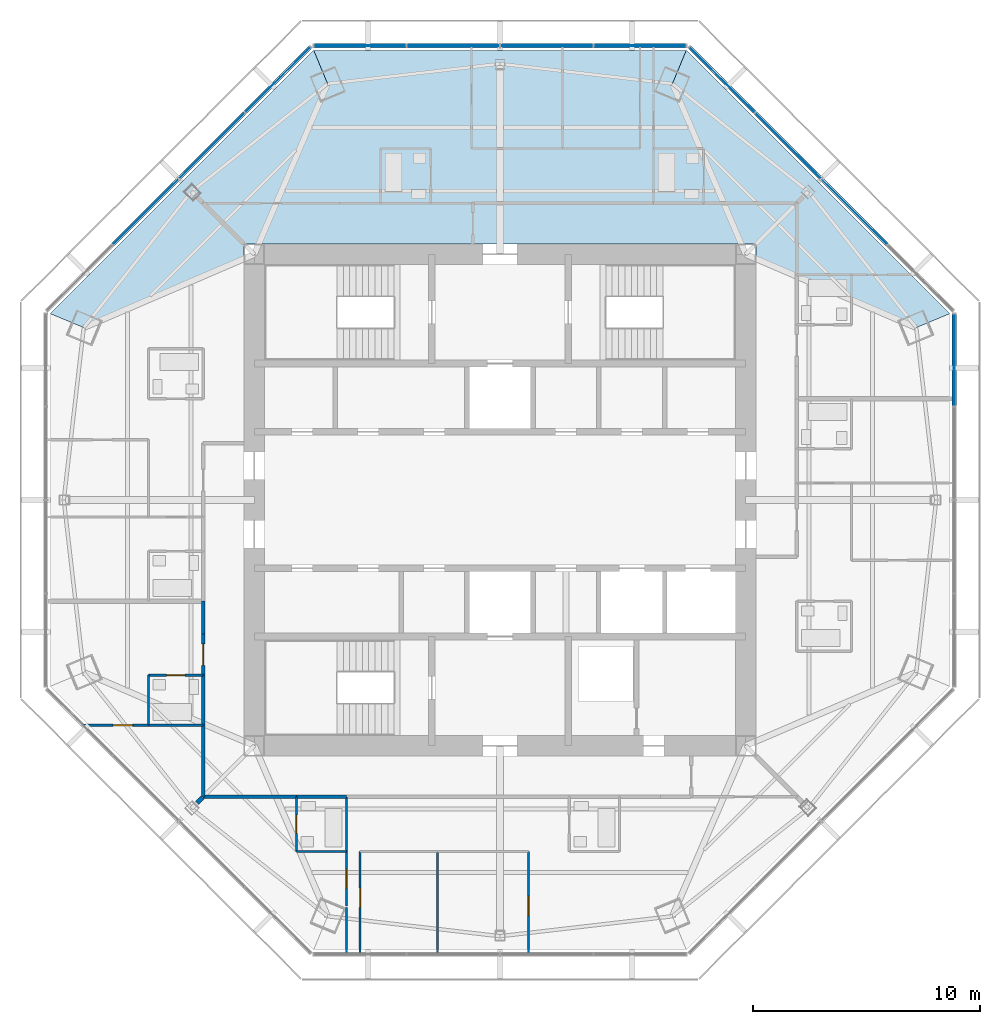
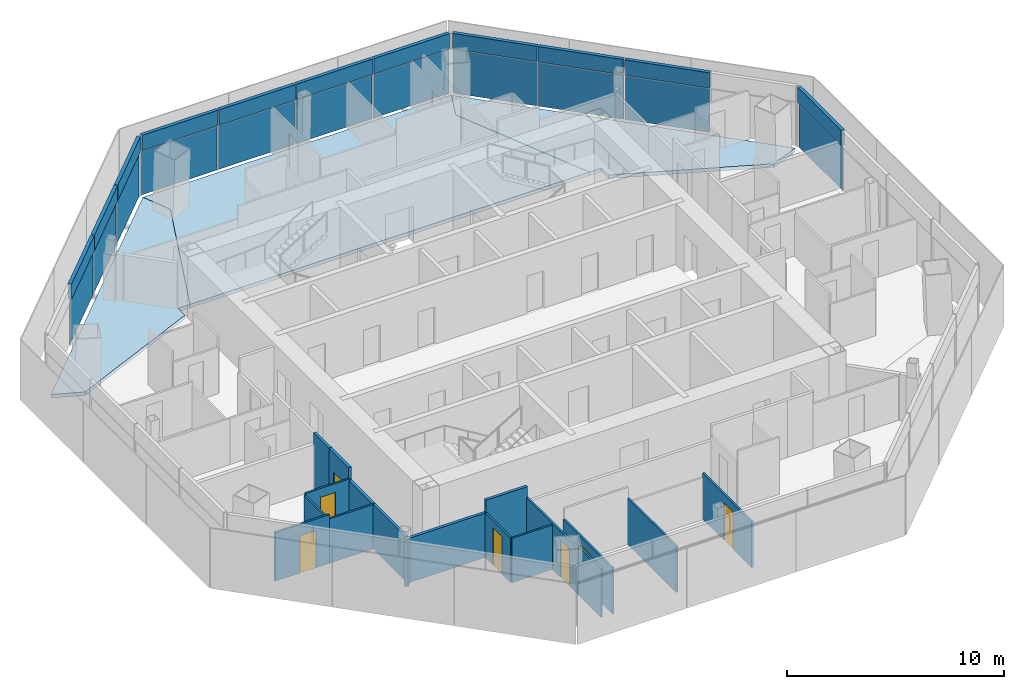
# One storey, part 8 of 14: 22 plates, 18 walls, 7 doors, 3 slabs, 7 openings, 4 elements without a shape of their own.
"""IFC4 building model written with IfcOpenShell, lengths in metres."""

from ifc_helpers import new_model, si_unit, direction, frame, frame_2d, origin, origin_2d, place, context, subcontext, project, spatial, polyline, rectangle, outline, extrude, source, transform, mapped, material, layer, layer_set, type_object, type_shapes, element, fill, aggregate, save


model = new_model("IFC4")

# Units and contexts
model_context = context("Model", 3, precision=1e-05, world=origin(), true_north=direction((0.0, 1.0)))
body_context = subcontext(model_context, "Body", "Model", "MODEL_VIEW")
ifc_project = project(units=[si_unit("LENGTHUNIT", "METRE"), si_unit("AREAUNIT", "SQUARE_METRE"), si_unit("VOLUMEUNIT", "CUBIC_METRE"), si_unit("PLANEANGLEUNIT", "RADIAN"), si_unit("MASSUNIT", "GRAM", prefix="KILO")], contexts=[model_context])

# Site, building, storey
site_placement = place(None, origin())
site = spatial("IfcSite", under=ifc_project, at=site_placement, CompositionType="ELEMENT")
building_placement = place(site_placement, origin())
building = spatial("IfcBuilding", under=site, at=building_placement, Name="Mashrafa Tower", CompositionType="ELEMENT")
storey_placement = place(building_placement, frame((0.0, 0.0, 284.39990234375)))
storey = spatial("IfcBuildingStorey", under=building, at=storey_placement, Name="L69", CompositionType="ELEMENT", Elevation=284.39990234375)

# Slabs
ifc_material_1 = material(Name="Concrete C35/45", Category="concrete")
ifc_layer_1 = layer(ifc_material_1, 0.199951171875)
ifc_layer_set_1 = layer_set([ifc_layer_1], Name="Floor slab 200")
slab_type = type_object("IfcSlabType", Name="Floor slab 200", PredefinedType="FLOOR", material=ifc_layer_set_1)
slab_1_placement = place(storey_placement, frame((0.0, 0.0, -0.199951171875)))
element("IfcSlab", 1, at=slab_1_placement, inside=storey, type_object=slab_type, Name="Floor slab L69 north-east bay", PredefinedType="FLOOR", context=body_context, shape_type="SweptSolid", body=[
    extrude(outline(polyline([(8.188720703125, 19.76953125), (19.76953125, 8.188720703125), (19.76953125, 8.188720703125), (18.296875, 7.578857421875), (11.25, 10.606689453125), (11.25, 11.25), (10.606689453125, 11.25), (7.578857421875, 18.296875), (8.188720703125, 19.76953125), (8.188720703125, 19.76953125)])), origin(), (0.0, 0.0, 1.0), 0.199951171875),
])
slab_2_placement = place(storey_placement, frame((0.0, 0.0, -0.199951171875)))
element("IfcSlab", 2, at=slab_2_placement, inside=storey, type_object=slab_type, Name="Floor slab L69 north bay", PredefinedType="FLOOR", context=body_context, shape_type="SweptSolid", body=[
    extrude(outline(polyline([(8.188720703125, 19.76953125), (7.578857421875, 18.296875), (10.606689453125, 11.25), (-10.606689453125, 11.25), (-7.578857421875, 18.296875), (-8.188720703125, 19.76953125), (8.188720703125, 19.76953125)])), origin(), (0.0, 0.0, 1.0), 0.199951171875),
])
slab_3_placement = place(storey_placement, frame((0.0, 0.0, -0.199951171875)))
element("IfcSlab", 3, at=slab_3_placement, inside=storey, type_object=slab_type, Name="Floor slab L69 north-west bay", PredefinedType="FLOOR", context=body_context, shape_type="SweptSolid", body=[
    extrude(outline(polyline([(-19.76953125, 8.188720703125), (-8.188720703125, 19.76953125), (-8.188720703125, 19.76953125), (-7.578857421875, 18.296875), (-10.606689453125, 11.25), (-11.25, 11.25), (-11.25, 10.606689453125), (-18.296875, 7.578857421875), (-19.76953125, 8.188720703125), (-19.76953125, 8.188720703125)])), origin(), (0.0, 0.0, 1.0), 0.199951171875),
])

# Curtain wall, plate
ifc_material_2 = material(Name="Unitised aluminium curtain wall", Category="aluminium")
curtain_wall_type = type_object("IfcCurtainWallType", Name="Apartment curtain wall, zone 4 CW-D 160 deep", PredefinedType="NOTDEFINED", material=ifc_material_2)
curtain_wall_1_placement = place(storey_placement, origin())
curtain_wall_1 = element("IfcCurtainWall", 4, at=curtain_wall_1_placement, inside=storey, type_object=curtain_wall_type, Name="Apartment curtain wall, zone 4 L69 east", PredefinedType="NOTDEFINED")
ifc_material_3 = material(Name="Insulated double glazing, acoustic", Category="glass")
ifc_layer_2 = layer(ifc_material_3, 0.028076171875)
ifc_layer_set_2 = layer_set([ifc_layer_2], Name="Vision panel CW-D 28")
plate_type_1 = type_object("IfcPlateType", Name="Vision panel CW-D 28", PredefinedType="CURTAIN_PANEL", material=ifc_layer_set_2)
shared_shape_1 = source(origin(), body_context, "Body", "SweptSolid", [
    extrude(rectangle(XDim=4.024169921875, YDim=0.028076171875, at=origin_2d()), origin(), (0.0, 0.0, 1.0), 2.46240234375),
])
plate_1_placement = place(storey_placement, frame((19.969482421875, 6.15625, 0.000244140625), z_axis=(0.0, 0.0, 1.0), x_axis=(0.0, 1.0, 0.0)))
plate_1 = element("IfcPlate", 5, at=plate_1_placement, type_object=plate_type_1, Name="CW-D vision panel 4", PredefinedType="CURTAIN_PANEL", context=body_context, shape_type="MappedRepresentation", body=[
    mapped(shared_shape_1, transform((0.0, 0.0, 0.0))),
])

curtain_wall_2_placement = place(storey_placement, origin())
curtain_wall_2 = element("IfcCurtainWall", 6, at=curtain_wall_2_placement, inside=storey, type_object=curtain_wall_type, Name="Apartment curtain wall, zone 4 L69 north-east", PredefinedType="NOTDEFINED")
plate_2_placement = place(storey_placement, frame((9.767333984375, 18.4736328125, 0.000244140625), z_axis=(0.0, 0.0, 1.0), x_axis=(-0.707106781187, 0.707106781187, 0.0)))
plate_2 = element("IfcPlate", 7, at=plate_2_placement, type_object=plate_type_1, Name="CW-D vision panel 4", PredefinedType="CURTAIN_PANEL", context=body_context, shape_type="MappedRepresentation", body=[
    mapped(shared_shape_1, transform((0.0, 0.0, 0.0))),
])

# Curtain wall, plates
curtain_wall_3_placement = place(storey_placement, origin())
curtain_wall_3 = element("IfcCurtainWall", 8, at=curtain_wall_3_placement, inside=storey, type_object=curtain_wall_type, Name="Apartment curtain wall, zone 4 L69 north", PredefinedType="NOTDEFINED")
plate_3_placement = place(storey_placement, frame((6.15625, 19.969482421875, 0.000244140625), z_axis=(0.0, 0.0, 1.0), x_axis=(-1.0, 0.0, 0.0)))
plate_3 = element("IfcPlate", 9, at=plate_3_placement, type_object=plate_type_1, Name="CW-D vision panel 1", PredefinedType="CURTAIN_PANEL", context=body_context, shape_type="MappedRepresentation", body=[
    mapped(shared_shape_1, transform((0.0, 0.0, 0.0))),
])
plate_4_placement = place(storey_placement, frame((-6.15625, 19.969482421875, 0.000244140625), z_axis=(0.0, 0.0, 1.0), x_axis=(-1.0, 0.0, 0.0)))
plate_4 = element("IfcPlate", 10, at=plate_4_placement, type_object=plate_type_1, Name="CW-D vision panel 4", PredefinedType="CURTAIN_PANEL", context=body_context, shape_type="MappedRepresentation", body=[
    mapped(shared_shape_1, transform((0.0, 0.0, 0.0))),
])

# Curtain wall, plate
curtain_wall_4_placement = place(storey_placement, origin())
curtain_wall_4 = element("IfcCurtainWall", 11, at=curtain_wall_4_placement, inside=storey, type_object=curtain_wall_type, Name="Apartment curtain wall, zone 4 L69 north-west", PredefinedType="NOTDEFINED")
plate_5_placement = place(storey_placement, frame((-9.767333984375, 18.4736328125, 0.000244140625), z_axis=(0.0, 0.0, 1.0), x_axis=(-0.707106781187, -0.707106781187, 0.0)))
plate_5 = element("IfcPlate", 12, at=plate_5_placement, type_object=plate_type_1, Name="CW-D vision panel 1", PredefinedType="CURTAIN_PANEL", context=body_context, shape_type="MappedRepresentation", body=[
    mapped(shared_shape_1, transform((0.0, 0.0, 0.0))),
])

# Plate
ifc_material_4 = material(Name="Insulated bronze aluminium spandrel panel", Category="aluminium")
ifc_layer_3 = layer(ifc_material_4, 0.179931640625)
ifc_layer_set_3 = layer_set([ifc_layer_3], Name="Spandrel panel CW-D 180")
plate_type_2 = type_object("IfcPlateType", Name="Spandrel panel CW-D 180", PredefinedType="CURTAIN_PANEL", material=ifc_layer_set_3)
shared_shape_2 = source(origin(), body_context, "Body", "SweptSolid", [
    extrude(rectangle(XDim=4.024169921875, YDim=0.179931640625, at=origin_2d()), origin(), (0.0, 0.0, 1.0), 0.862548828125),
])
plate_6_placement = place(storey_placement, frame((19.969482421875, 6.15625, 2.53759765625), z_axis=(0.0, 0.0, 1.0), x_axis=(0.0, 1.0, 0.0)))
plate_6 = element("IfcPlate", 13, at=plate_6_placement, type_object=plate_type_2, Name="CW-D spandrel panel 4", PredefinedType="CURTAIN_PANEL", context=body_context, shape_type="MappedRepresentation", body=[
    mapped(shared_shape_2, transform((0.0, 0.0, 0.0))),
])

aggregate(curtain_wall_1, [plate_1, plate_6])

plate_7_placement = place(storey_placement, frame((9.767333984375, 18.4736328125, 2.53759765625), z_axis=(0.0, 0.0, 1.0), x_axis=(-0.707106781187, 0.707106781187, 0.0)))
plate_7 = element("IfcPlate", 14, at=plate_7_placement, type_object=plate_type_2, Name="CW-D spandrel panel 4", PredefinedType="CURTAIN_PANEL", context=body_context, shape_type="MappedRepresentation", body=[
    mapped(shared_shape_2, transform((0.0, 0.0, 0.0))),
])

plate_8_placement = place(storey_placement, frame((6.15625, 19.969482421875, 2.53759765625), z_axis=(0.0, 0.0, 1.0), x_axis=(-1.0, 0.0, 0.0)))
plate_8 = element("IfcPlate", 15, at=plate_8_placement, type_object=plate_type_2, Name="CW-D spandrel panel 1", PredefinedType="CURTAIN_PANEL", context=body_context, shape_type="MappedRepresentation", body=[
    mapped(shared_shape_2, transform((0.0, 0.0, 0.0))),
])

plate_9_placement = place(storey_placement, frame((-6.15625, 19.969482421875, 2.53759765625), z_axis=(0.0, 0.0, 1.0), x_axis=(-1.0, 0.0, 0.0)))
plate_9 = element("IfcPlate", 16, at=plate_9_placement, type_object=plate_type_2, Name="CW-D spandrel panel 4", PredefinedType="CURTAIN_PANEL", context=body_context, shape_type="MappedRepresentation", body=[
    mapped(shared_shape_2, transform((0.0, 0.0, 0.0))),
])

plate_10_placement = place(storey_placement, frame((-9.767333984375, 18.4736328125, 2.53759765625), z_axis=(0.0, 0.0, 1.0), x_axis=(-0.707106781187, -0.707106781187, 0.0)))
plate_10 = element("IfcPlate", 17, at=plate_10_placement, type_object=plate_type_2, Name="CW-D spandrel panel 1", PredefinedType="CURTAIN_PANEL", context=body_context, shape_type="MappedRepresentation", body=[
    mapped(shared_shape_2, transform((0.0, 0.0, 0.0))),
])

shared_shape_3 = source(origin(), body_context, "Body", "SweptSolid", [
    extrude(rectangle(XDim=4.05419921875, YDim=0.028076171875, at=origin_2d()), origin(), (0.0, 0.0, 1.0), 2.46240234375),
])
type_shapes(plate_type_1, [shared_shape_1, shared_shape_3])
plate_11_placement = place(storey_placement, frame((15.5751953125, 12.666015625, 0.000244140625), z_axis=(0.0, 0.0, 1.0), x_axis=(-0.707106781187, 0.707106781187, 0.0)))
plate_11 = element("IfcPlate", 18, at=plate_11_placement, type_object=plate_type_1, Name="CW-D vision panel 2", PredefinedType="CURTAIN_PANEL", context=body_context, shape_type="MappedRepresentation", body=[
    mapped(shared_shape_3, transform((0.0, 0.0, 0.0))),
])

plate_12_placement = place(storey_placement, frame((12.666015625, 15.5751953125, 0.000244140625), z_axis=(0.0, 0.0, 1.0), x_axis=(-0.707106781187, 0.707106781187, 0.0)))
plate_12 = element("IfcPlate", 19, at=plate_12_placement, type_object=plate_type_1, Name="CW-D vision panel 3", PredefinedType="CURTAIN_PANEL", context=body_context, shape_type="MappedRepresentation", body=[
    mapped(shared_shape_3, transform((0.0, 0.0, 0.0))),
])

plate_13_placement = place(storey_placement, frame((2.05712890625, 19.969482421875, 0.000244140625), z_axis=(0.0, 0.0, 1.0), x_axis=(-1.0, 0.0, 0.0)))
plate_13 = element("IfcPlate", 20, at=plate_13_placement, type_object=plate_type_1, Name="CW-D vision panel 2", PredefinedType="CURTAIN_PANEL", context=body_context, shape_type="MappedRepresentation", body=[
    mapped(shared_shape_3, transform((0.0, 0.0, 0.0))),
])

plate_14_placement = place(storey_placement, frame((-2.05712890625, 19.969482421875, 0.000244140625), z_axis=(0.0, 0.0, 1.0), x_axis=(-1.0, 0.0, 0.0)))
plate_14 = element("IfcPlate", 21, at=plate_14_placement, type_object=plate_type_1, Name="CW-D vision panel 3", PredefinedType="CURTAIN_PANEL", context=body_context, shape_type="MappedRepresentation", body=[
    mapped(shared_shape_3, transform((0.0, 0.0, 0.0))),
])

plate_15_placement = place(storey_placement, frame((-12.666015625, 15.5751953125, 0.000244140625), z_axis=(0.0, 0.0, 1.0), x_axis=(-0.707106781187, -0.707106781187, 0.0)))
plate_15 = element("IfcPlate", 22, at=plate_15_placement, type_object=plate_type_1, Name="CW-D vision panel 2", PredefinedType="CURTAIN_PANEL", context=body_context, shape_type="MappedRepresentation", body=[
    mapped(shared_shape_3, transform((0.0, 0.0, 0.0))),
])

plate_16_placement = place(storey_placement, frame((-15.5751953125, 12.666015625, 0.000244140625), z_axis=(0.0, 0.0, 1.0), x_axis=(-0.707106781187, -0.707106781187, 0.0)))
plate_16 = element("IfcPlate", 23, at=plate_16_placement, type_object=plate_type_1, Name="CW-D vision panel 3", PredefinedType="CURTAIN_PANEL", context=body_context, shape_type="MappedRepresentation", body=[
    mapped(shared_shape_3, transform((0.0, 0.0, 0.0))),
])

shared_shape_4 = source(origin(), body_context, "Body", "SweptSolid", [
    extrude(rectangle(XDim=4.05419921875, YDim=0.179931640625, at=origin_2d()), origin(), (0.0, 0.0, 1.0), 0.862548828125),
])
type_shapes(plate_type_2, [shared_shape_2, shared_shape_4])
plate_17_placement = place(storey_placement, frame((15.5751953125, 12.666015625, 2.53759765625), z_axis=(0.0, 0.0, 1.0), x_axis=(-0.707106781187, 0.707106781187, 0.0)))
plate_17 = element("IfcPlate", 24, at=plate_17_placement, type_object=plate_type_2, Name="CW-D spandrel panel 2", PredefinedType="CURTAIN_PANEL", context=body_context, shape_type="MappedRepresentation", body=[
    mapped(shared_shape_4, transform((0.0, 0.0, 0.0))),
])

plate_18_placement = place(storey_placement, frame((12.666015625, 15.5751953125, 2.53759765625), z_axis=(0.0, 0.0, 1.0), x_axis=(-0.707106781187, 0.707106781187, 0.0)))
plate_18 = element("IfcPlate", 25, at=plate_18_placement, type_object=plate_type_2, Name="CW-D spandrel panel 3", PredefinedType="CURTAIN_PANEL", context=body_context, shape_type="MappedRepresentation", body=[
    mapped(shared_shape_4, transform((0.0, 0.0, 0.0))),
])

aggregate(curtain_wall_2, [plate_11, plate_17, plate_12, plate_18, plate_2, plate_7])

plate_19_placement = place(storey_placement, frame((2.05712890625, 19.969482421875, 2.53759765625), z_axis=(0.0, 0.0, 1.0), x_axis=(-1.0, 0.0, 0.0)))
plate_19 = element("IfcPlate", 26, at=plate_19_placement, type_object=plate_type_2, Name="CW-D spandrel panel 2", PredefinedType="CURTAIN_PANEL", context=body_context, shape_type="MappedRepresentation", body=[
    mapped(shared_shape_4, transform((0.0, 0.0, 0.0))),
])

plate_20_placement = place(storey_placement, frame((-2.05712890625, 19.969482421875, 2.53759765625), z_axis=(0.0, 0.0, 1.0), x_axis=(-1.0, 0.0, 0.0)))
plate_20 = element("IfcPlate", 27, at=plate_20_placement, type_object=plate_type_2, Name="CW-D spandrel panel 3", PredefinedType="CURTAIN_PANEL", context=body_context, shape_type="MappedRepresentation", body=[
    mapped(shared_shape_4, transform((0.0, 0.0, 0.0))),
])

aggregate(curtain_wall_3, [plate_3, plate_8, plate_13, plate_19, plate_14, plate_20, plate_4, plate_9])

plate_21_placement = place(storey_placement, frame((-12.666015625, 15.5751953125, 2.53759765625), z_axis=(0.0, 0.0, 1.0), x_axis=(-0.707106781187, -0.707106781187, 0.0)))
plate_21 = element("IfcPlate", 28, at=plate_21_placement, type_object=plate_type_2, Name="CW-D spandrel panel 2", PredefinedType="CURTAIN_PANEL", context=body_context, shape_type="MappedRepresentation", body=[
    mapped(shared_shape_4, transform((0.0, 0.0, 0.0))),
])

plate_22_placement = place(storey_placement, frame((-15.5751953125, 12.666015625, 2.53759765625), z_axis=(0.0, 0.0, 1.0), x_axis=(-0.707106781187, -0.707106781187, 0.0)))
plate_22 = element("IfcPlate", 29, at=plate_22_placement, type_object=plate_type_2, Name="CW-D spandrel panel 3", PredefinedType="CURTAIN_PANEL", context=body_context, shape_type="MappedRepresentation", body=[
    mapped(shared_shape_4, transform((0.0, 0.0, 0.0))),
])

aggregate(curtain_wall_4, [plate_5, plate_10, plate_15, plate_21, plate_16, plate_22])

# Walls
ifc_material_5 = material(Name="Gypsum board on steel studs", Category="steel")
ifc_layer_4 = layer(ifc_material_5, 0.199951171875)
ifc_layer_set_4 = layer_set([ifc_layer_4], Name="Acoustic partition 200 1 hr")
wall_type_1 = type_object("IfcWallType", Name="Acoustic partition 200 1 hr", PredefinedType="PARTITIONING", material=ifc_layer_set_4)
wall_1_placement = place(storey_placement, frame((-13.314208984375, -13.314208984375, 0.0), z_axis=(0.0, 0.0, 1.0), x_axis=(0.707106781187, 0.707106781187, 0.0)))
element("IfcWall", 30, at=wall_1_placement, inside=storey, type_object=wall_type_1, Name="Acoustic wall L69-083", PredefinedType="PARTITIONING", context=body_context, shape_type="SweptSolid", body=[
    extrude(rectangle(XDim=0.32080078125, YDim=0.199951171875, at=frame_2d((0.160400390625, 0.0))), origin(), (0.0, 0.0, 1.0), 2.590576171875),
])
ifc_material_6 = material(Name="Gypsum board on steel studs", Category="steel")
ifc_layer_5 = layer(ifc_material_6, 0.14990234375)
ifc_layer_set_5 = layer_set([ifc_layer_5], Name="Corridor partition 150 1 hr")
wall_type_2 = type_object("IfcWallType", Name="Corridor partition 150 1 hr", PredefinedType="PARTITIONING", material=ifc_layer_set_5)
wall_2_placement = place(storey_placement, frame((-13.050048828125, -9.89892578125, 0.0), z_axis=(0.0, 0.0, 1.0), x_axis=(0.0, -1.0, 0.0)))
element("IfcWall", 31, at=wall_2_placement, inside=storey, type_object=wall_type_2, Name="Corridor wall L69-017", PredefinedType="PARTITIONING", context=body_context, shape_type="SweptSolid", body=[
    extrude(rectangle(XDim=3.151123046875, YDim=0.14990234375, at=frame_2d((1.57568359375, 0.0))), origin(), (0.0, 0.0, 1.0), 2.49658203125),
])
wall_3_placement = place(storey_placement, frame((-13.050048828125, -7.698974609375, 0.0), z_axis=(0.0, 0.0, 1.0), x_axis=(0.0, -1.0, 0.0)))
element("IfcWall", 32, at=wall_3_placement, inside=storey, type_object=wall_type_2, Name="Corridor wall L69-018", PredefinedType="PARTITIONING", context=body_context, shape_type="SweptSolid", body=[
    extrude(rectangle(XDim=2.201904296875, YDim=0.14990234375, at=frame_2d((1.10107421875, 0.0))), origin(), (0.0, 0.0, 1.0), 2.49658203125),
])
wall_4_placement = place(storey_placement, frame((-13.050048828125, -4.448974609375, 0.0), z_axis=(0.0, 0.0, 1.0), x_axis=(0.0, -1.0, 0.0)))
element("IfcWall", 33, at=wall_4_placement, inside=storey, type_object=wall_type_2, Name="Corridor wall L69-019", PredefinedType="PARTITIONING", context=body_context, shape_type="SweptSolid", body=[
    extrude(rectangle(XDim=1.451904296875, YDim=0.14990234375, at=frame_2d((0.72607421875, 0.0))), origin(), (0.0, 0.0, 1.0), 3.2001953125),
])

# Wall, opening, door
wall_5_placement = place(storey_placement, frame((-13.050048828125, -5.89892578125, 0.0), z_axis=(0.0, 0.0, 1.0), x_axis=(0.0, -1.0, 0.0)))
wall_5 = element("IfcWall", 34, at=wall_5_placement, inside=storey, type_object=wall_type_2, Name="Corridor wall L69-020", PredefinedType="PARTITIONING", context=body_context, shape_type="SweptSolid", body=[
    extrude(rectangle(XDim=1.802001953125, YDim=0.14990234375, at=frame_2d((0.90087890625, 0.0))), origin(), (0.0, 0.0, 1.0), 3.2001953125),
])
opening_1_placement = place(wall_5_placement, frame((0.426025390625, 0.0, 0.0)))
opening_1 = element("IfcOpeningElement", 35, at=opening_1_placement, cuts=wall_5, Name="Opening 69.023", PredefinedType="OPENING", context=body_context, shape_type="SweptSolid", body=[
    extrude(rectangle(XDim=0.949951171875, YDim=2.10009765625, at=frame_2d((0.47509765625, 1.050048828125))), frame((0.0, 0.0849609375, 0.0), z_axis=(0.0, -1.0, 0.0), x_axis=(1.0, 0.0, 0.0)), (0.0, 0.0, 1.0), 0.169921875),
])
ifc_material_7 = material(Name="Steel door", Category="steel")
door_type_1 = type_object("IfcDoorType", Name="Residence entrance door 950 x 2100 20 min", OperationType="USERDEFINED", PredefinedType="DOOR", material=ifc_material_7)
door_1_placement = place(opening_1_placement, frame((0.949951171875, 0.0, 0.0), z_axis=(0.0, 0.0, 1.0), x_axis=(-1.0, 0.0, 0.0)))
door_1 = element("IfcDoor", 36, at=door_1_placement, inside=storey, type_object=door_type_1, Name="Apartment 6905 Living Room door", OperationType="SINGLE_SWING_RIGHT", OverallHeight=2.10009765625, OverallWidth=0.949951171875, PredefinedType="DOOR", context=body_context, shape_type="SweptSolid", body=[
    extrude(rectangle(XDim=0.949951171875, YDim=2.10009765625, at=frame_2d((0.47509765625, 1.050048828125))), frame((0.0, 0.02490234375, 0.0), z_axis=(0.0, -1.0, 0.0), x_axis=(1.0, 0.0, 0.0)), (0.0, 0.0, 1.0), 0.050048828125),
])
fill(opening_1, door_1)

# Walls
wall_6_placement = place(storey_placement, frame((-8.950927734375, -13.050048828125, 0.0), z_axis=(0.0, 0.0, 1.0), x_axis=(1.0, 0.0, 0.0)))
element("IfcWall", 37, at=wall_6_placement, inside=storey, type_object=wall_type_2, Name="Corridor wall L69-023", PredefinedType="PARTITIONING", context=body_context, shape_type="SweptSolid", body=[
    extrude(rectangle(XDim=2.201904296875, YDim=0.14990234375, at=frame_2d((1.10107421875, 0.0))), origin(), (0.0, 0.0, 1.0), 3.2001953125),
])
wall_7_placement = place(storey_placement, frame((-13.050048828125, -13.050048828125, 0.0), z_axis=(0.0, 0.0, 1.0), x_axis=(1.0, 0.0, 0.0)))
element("IfcWall", 38, at=wall_7_placement, inside=storey, type_object=wall_type_2, Name="Corridor wall L69-024", PredefinedType="PARTITIONING", context=body_context, shape_type="SweptSolid", body=[
    extrude(rectangle(XDim=4.10107421875, YDim=0.14990234375, at=frame_2d((2.050537109375, 0.0))), origin(), (0.0, 0.0, 1.0), 2.49658203125),
])
ifc_material_8 = material(Name="Gypsum board on steel studs", Category="steel")
ifc_layer_6 = layer(ifc_material_8, 0.10009765625)
ifc_layer_set_6 = layer_set([ifc_layer_6], Name="Partition 100")
wall_type_3 = type_object("IfcWallType", Name="Partition 100", PredefinedType="PARTITIONING", material=ifc_layer_set_6)
wall_8_placement = place(storey_placement, frame((-2.75, -19.951416015625, 0.0), z_axis=(0.0, 0.0, 1.0), x_axis=(0.0, 1.0, 0.0)))
element("IfcWall", 39, at=wall_8_placement, inside=storey, type_object=wall_type_3, Name="Partition wall L69-031", PredefinedType="PARTITIONING", context=body_context, shape_type="SweptSolid", body=[
    extrude(rectangle(XDim=4.50146484375, YDim=0.10009765625, at=frame_2d((2.250732421875, 0.0))), origin(), (0.0, 0.0, 1.0), 2.590576171875),
])

# Wall, opening, door
wall_9_placement = place(storey_placement, frame((-6.14990234375, -15.449951171875, 0.0), z_axis=(0.0, 0.0, 1.0), x_axis=(0.0, -1.0, 0.0)))
wall_9 = element("IfcWall", 40, at=wall_9_placement, inside=storey, type_object=wall_type_3, Name="Partition wall L69-033", PredefinedType="PARTITIONING", context=body_context, shape_type="SweptSolid", body=[
    extrude(rectangle(XDim=4.50341796875, YDim=0.10009765625, at=frame_2d((2.251708984375, 0.0))), origin(), (0.0, 0.0, 1.0), 2.590576171875),
])
opening_2_placement = place(wall_9_placement, frame((1.609619140625, 0.0, 0.0)))
opening_2 = element("IfcOpeningElement", 41, at=opening_2_placement, cuts=wall_9, Name="Opening 69.002", PredefinedType="OPENING", context=body_context, shape_type="SweptSolid", body=[
    extrude(rectangle(XDim=0.85009765625, YDim=2.10009765625, at=frame_2d((0.425048828125, 1.050048828125))), frame((0.0, 0.06005859375, 0.0), z_axis=(0.0, -1.0, 0.0), x_axis=(1.0, 0.0, 0.0)), (0.0, 0.0, 1.0), 0.1201171875),
])
ifc_material_9 = material(Name="Timber door", Category="wood")
door_type_2 = type_object("IfcDoorType", Name="Bedroom door 850 x 2100", OperationType="USERDEFINED", PredefinedType="DOOR", material=ifc_material_9)
door_2_placement = place(opening_2_placement, origin())
door_2 = element("IfcDoor", 42, at=door_2_placement, inside=storey, type_object=door_type_2, Name="Apartment 6906 Dining Room door", OperationType="SINGLE_SWING_LEFT", OverallHeight=2.10009765625, OverallWidth=0.85009765625, PredefinedType="DOOR", context=body_context, shape_type="SweptSolid", body=[
    extrude(rectangle(XDim=0.85009765625, YDim=2.10009765625, at=frame_2d((0.425048828125, 1.050048828125))), frame((0.0, 0.02490234375, 0.0), z_axis=(0.0, -1.0, 0.0), x_axis=(1.0, 0.0, 0.0)), (0.0, 0.0, 1.0), 0.050048828125),
])
fill(opening_2, door_2)

# Wall
wall_10_placement = place(storey_placement, frame((-13.050048828125, -9.89990234375, 0.0), z_axis=(0.0, 0.0, 1.0), x_axis=(-1.0, 0.0, 0.0)))
element("IfcWall", 43, at=wall_10_placement, inside=storey, type_object=wall_type_3, Name="Partition wall L69-081", PredefinedType="PARTITIONING", context=body_context, shape_type="SweptSolid", body=[
    extrude(rectangle(XDim=2.40087890625, YDim=0.10009765625, at=frame_2d((1.200439453125, 0.0))), origin(), (0.0, 0.0, 1.0), 2.49658203125),
])

# Wall, opening, door
wall_11_placement = place(storey_placement, frame((-15.448974609375, -9.89990234375, 0.0), z_axis=(0.0, 0.0, 1.0), x_axis=(-1.0, 0.0, 0.0)))
wall_11 = element("IfcWall", 44, at=wall_11_placement, inside=storey, type_object=wall_type_3, Name="Partition wall L69-082", PredefinedType="PARTITIONING", context=body_context, shape_type="SweptSolid", body=[
    extrude(rectangle(XDim=2.870361328125, YDim=0.10009765625, at=frame_2d((1.43505859375, 0.0))), origin(), (0.0, 0.0, 1.0), 2.740478515625),
])
opening_3_placement = place(wall_11_placement, frame((0.702880859375, 0.0, 0.0)))
opening_3 = element("IfcOpeningElement", 45, at=opening_3_placement, cuts=wall_11, Name="Opening 69.021", PredefinedType="OPENING", context=body_context, shape_type="SweptSolid", body=[
    extrude(rectangle(XDim=0.85009765625, YDim=2.10009765625, at=frame_2d((0.425048828125, 1.050048828125))), frame((0.0, 0.06005859375, 0.0), z_axis=(0.0, -1.0, 0.0), x_axis=(1.0, 0.0, 0.0)), (0.0, 0.0, 1.0), 0.1201171875),
])
door_3_placement = place(opening_3_placement, origin())
door_3 = element("IfcDoor", 46, at=door_3_placement, inside=storey, type_object=door_type_2, Name="Apartment 6905 Bedroom 1 door", OperationType="SINGLE_SWING_RIGHT", OverallHeight=2.10009765625, OverallWidth=0.85009765625, PredefinedType="DOOR", context=body_context, shape_type="SweptSolid", body=[
    extrude(rectangle(XDim=0.85009765625, YDim=2.10009765625, at=frame_2d((0.425048828125, 1.050048828125))), frame((0.0, 0.02490234375, 0.0), z_axis=(0.0, -1.0, 0.0), x_axis=(1.0, 0.0, 0.0)), (0.0, 0.0, 1.0), 0.050048828125),
])
fill(opening_3, door_3)

wall_12_placement = place(storey_placement, frame((-13.050048828125, -7.699951171875, 0.0), z_axis=(0.0, 0.0, 1.0), x_axis=(-1.0, 0.0, 0.0)))
wall_12 = element("IfcWall", 47, at=wall_12_placement, inside=storey, type_object=wall_type_3, Name="Partition wall L69-084", PredefinedType="PARTITIONING", context=body_context, shape_type="SweptSolid", body=[
    extrude(rectangle(XDim=2.39990234375, YDim=0.10009765625, at=frame_2d((1.199951171875, 0.0))), origin(), (0.0, 0.0, 1.0), 2.590576171875),
])
opening_4_placement = place(wall_12_placement, frame((0.800048828125, 0.0, 0.0)))
opening_4 = element("IfcOpeningElement", 48, at=opening_4_placement, cuts=wall_12, Name="Opening 69.022", PredefinedType="OPENING", context=body_context, shape_type="SweptSolid", body=[
    extrude(rectangle(XDim=0.800048828125, YDim=2.10009765625, at=frame_2d((0.39990234375, 1.050048828125))), frame((0.0, 0.06005859375, 0.0), z_axis=(0.0, -1.0, 0.0), x_axis=(1.0, 0.0, 0.0)), (0.0, 0.0, 1.0), 0.1201171875),
])
ifc_material_10 = material(Name="Timber door", Category="wood")
door_type_3 = type_object("IfcDoorType", Name="Bathroom door 800 x 2100", OperationType="USERDEFINED", PredefinedType="DOOR", material=ifc_material_10)
door_4_placement = place(opening_4_placement, origin())
door_4 = element("IfcDoor", 49, at=door_4_placement, inside=storey, type_object=door_type_3, Name="Apartment 6905 Bathroom door", OperationType="SINGLE_SWING_RIGHT", OverallHeight=2.10009765625, OverallWidth=0.800048828125, PredefinedType="DOOR", context=body_context, shape_type="SweptSolid", body=[
    extrude(rectangle(XDim=0.800048828125, YDim=2.10009765625, at=frame_2d((0.39990234375, 1.050048828125))), frame((0.0, 0.02490234375, 0.0), z_axis=(0.0, -1.0, 0.0), x_axis=(1.0, 0.0, 0.0)), (0.0, 0.0, 1.0), 0.050048828125),
])
fill(opening_4, door_4)

# Wall
wall_13_placement = place(storey_placement, frame((-15.449951171875, -7.699951171875, 0.0), z_axis=(0.0, 0.0, 1.0), x_axis=(0.0, -1.0, 0.0)))
element("IfcWall", 50, at=wall_13_placement, inside=storey, type_object=wall_type_3, Name="Partition wall L69-085", PredefinedType="PARTITIONING", context=body_context, shape_type="SweptSolid", body=[
    extrude(rectangle(XDim=2.199951171875, YDim=0.10009765625, at=frame_2d((1.10009765625, 0.0))), origin(), (0.0, 0.0, 1.0), 2.49658203125),
])

# Wall, opening, door
wall_14_placement = place(storey_placement, frame((1.25, -19.953369140625, 0.0), z_axis=(0.0, 0.0, 1.0), x_axis=(0.0, 1.0, 0.0)))
wall_14 = element("IfcWall", 51, at=wall_14_placement, inside=storey, type_object=wall_type_3, Name="Partition wall L69-089", PredefinedType="PARTITIONING", context=body_context, shape_type="SweptSolid", body=[
    extrude(rectangle(XDim=4.50341796875, YDim=0.10009765625, at=frame_2d((2.251708984375, 0.0))), origin(), (0.0, 0.0, 1.0), 2.590576171875),
])
opening_5_placement = place(wall_14_placement, frame((1.688720703125, 0.0, 0.0)))
opening_5 = element("IfcOpeningElement", 52, at=opening_5_placement, cuts=wall_14, Name="Opening 69.025", PredefinedType="OPENING", context=body_context, shape_type="SweptSolid", body=[
    extrude(rectangle(XDim=0.85009765625, YDim=2.10009765625, at=frame_2d((0.425048828125, 1.050048828125))), frame((0.0, 0.06005859375, 0.0), z_axis=(0.0, -1.0, 0.0), x_axis=(1.0, 0.0, 0.0)), (0.0, 0.0, 1.0), 0.1201171875),
])
door_5_placement = place(opening_5_placement, origin())
door_5 = element("IfcDoor", 53, at=door_5_placement, inside=storey, type_object=door_type_2, Name="Apartment 6906 Bedroom 1 door", OperationType="SINGLE_SWING_LEFT", OverallHeight=2.10009765625, OverallWidth=0.85009765625, PredefinedType="DOOR", context=body_context, shape_type="SweptSolid", body=[
    extrude(rectangle(XDim=0.85009765625, YDim=2.10009765625, at=frame_2d((0.425048828125, 1.050048828125))), frame((0.0, 0.02490234375, 0.0), z_axis=(0.0, -1.0, 0.0), x_axis=(1.0, 0.0, 0.0)), (0.0, 0.0, 1.0), 0.050048828125),
])
fill(opening_5, door_5)

wall_15_placement = place(storey_placement, frame((-8.949951171875, -13.050048828125, 0.0), z_axis=(0.0, 0.0, 1.0), x_axis=(0.0, -1.0, 0.0)))
wall_15 = element("IfcWall", 54, at=wall_15_placement, inside=storey, type_object=wall_type_3, Name="Partition wall L69-091", PredefinedType="PARTITIONING", context=body_context, shape_type="SweptSolid", body=[
    extrude(rectangle(XDim=2.39990234375, YDim=0.10009765625, at=frame_2d((1.199951171875, 0.0))), origin(), (0.0, 0.0, 1.0), 2.49658203125),
])
opening_6_placement = place(wall_15_placement, frame((0.800048828125, 0.0, 0.0)))
opening_6 = element("IfcOpeningElement", 55, at=opening_6_placement, cuts=wall_15, Name="Opening 69.026", PredefinedType="OPENING", context=body_context, shape_type="SweptSolid", body=[
    extrude(rectangle(XDim=0.800048828125, YDim=2.10009765625, at=frame_2d((0.39990234375, 1.050048828125))), frame((0.0, 0.06005859375, 0.0), z_axis=(0.0, -1.0, 0.0), x_axis=(1.0, 0.0, 0.0)), (0.0, 0.0, 1.0), 0.1201171875),
])
door_6_placement = place(opening_6_placement, origin())
door_6 = element("IfcDoor", 56, at=door_6_placement, inside=storey, type_object=door_type_3, Name="Apartment 6906 En-suite Bathroom door", OperationType="SINGLE_SWING_LEFT", OverallHeight=2.10009765625, OverallWidth=0.800048828125, PredefinedType="DOOR", context=body_context, shape_type="SweptSolid", body=[
    extrude(rectangle(XDim=0.800048828125, YDim=2.10009765625, at=frame_2d((0.39990234375, 1.050048828125))), frame((0.0, 0.02490234375, 0.0), z_axis=(0.0, -1.0, 0.0), x_axis=(1.0, 0.0, 0.0)), (0.0, 0.0, 1.0), 0.050048828125),
])
fill(opening_6, door_6)

# Wall
wall_16_placement = place(storey_placement, frame((-8.949951171875, -15.449951171875, 0.0), z_axis=(0.0, 0.0, 1.0), x_axis=(1.0, 0.0, 0.0)))
element("IfcWall", 57, at=wall_16_placement, inside=storey, type_object=wall_type_3, Name="Partition wall L69-092", PredefinedType="PARTITIONING", context=body_context, shape_type="SweptSolid", body=[
    extrude(rectangle(XDim=2.199951171875, YDim=0.10009765625, at=frame_2d((1.10009765625, 0.0))), origin(), (0.0, 0.0, 1.0), 2.49658203125),
])

# Wall, opening, door
wall_17_placement = place(storey_placement, frame((-6.75, -13.050048828125, 0.0), z_axis=(0.0, 0.0, 1.0), x_axis=(0.0, -1.0, 0.0)))
wall_17 = element("IfcWall", 58, at=wall_17_placement, inside=storey, type_object=wall_type_3, Name="Partition wall L69-093", PredefinedType="PARTITIONING", context=body_context, shape_type="SweptSolid", body=[
    extrude(rectangle(XDim=4.800537109375, YDim=0.10009765625, at=frame_2d((2.400390625, 0.0))), origin(), (0.0, 0.0, 1.0), 2.590576171875),
])
opening_7_placement = place(wall_17_placement, frame((3.17529296875, 0.0, 0.0)))
opening_7 = element("IfcOpeningElement", 59, at=opening_7_placement, cuts=wall_17, Name="Opening 69.027", PredefinedType="OPENING", context=body_context, shape_type="SweptSolid", body=[
    extrude(rectangle(XDim=0.85009765625, YDim=2.10009765625, at=frame_2d((0.425048828125, 1.050048828125))), frame((0.0, 0.06005859375, 0.0), z_axis=(0.0, -1.0, 0.0), x_axis=(1.0, 0.0, 0.0)), (0.0, 0.0, 1.0), 0.1201171875),
])
door_7_placement = place(opening_7_placement, frame((0.85009765625, 0.0, 0.0), z_axis=(0.0, 0.0, 1.0), x_axis=(-1.0, 0.0, 0.0)))
door_7 = element("IfcDoor", 60, at=door_7_placement, inside=storey, type_object=door_type_2, Name="Apartment 6906 Bedroom 2 door", OperationType="SINGLE_SWING_RIGHT", OverallHeight=2.10009765625, OverallWidth=0.85009765625, PredefinedType="DOOR", context=body_context, shape_type="SweptSolid", body=[
    extrude(rectangle(XDim=0.85009765625, YDim=2.10009765625, at=frame_2d((0.425048828125, 1.050048828125))), frame((0.0, 0.02490234375, 0.0), z_axis=(0.0, -1.0, 0.0), x_axis=(1.0, 0.0, 0.0)), (0.0, 0.0, 1.0), 0.050048828125),
])
fill(opening_7, door_7)

# Wall
wall_18_placement = place(storey_placement, frame((-6.75, -19.951416015625, 0.0), z_axis=(0.0, 0.0, 1.0), x_axis=(0.0, 1.0, 0.0)))
element("IfcWall", 61, at=wall_18_placement, inside=storey, type_object=wall_type_3, Name="Partition wall L69-094", PredefinedType="PARTITIONING", context=body_context, shape_type="SweptSolid", body=[
    extrude(rectangle(XDim=2.037841796875, YDim=0.10009765625, at=frame_2d((1.01904296875, 0.0))), origin(), (0.0, 0.0, 1.0), 2.740478515625),
])

save(model, "model.ifc")
